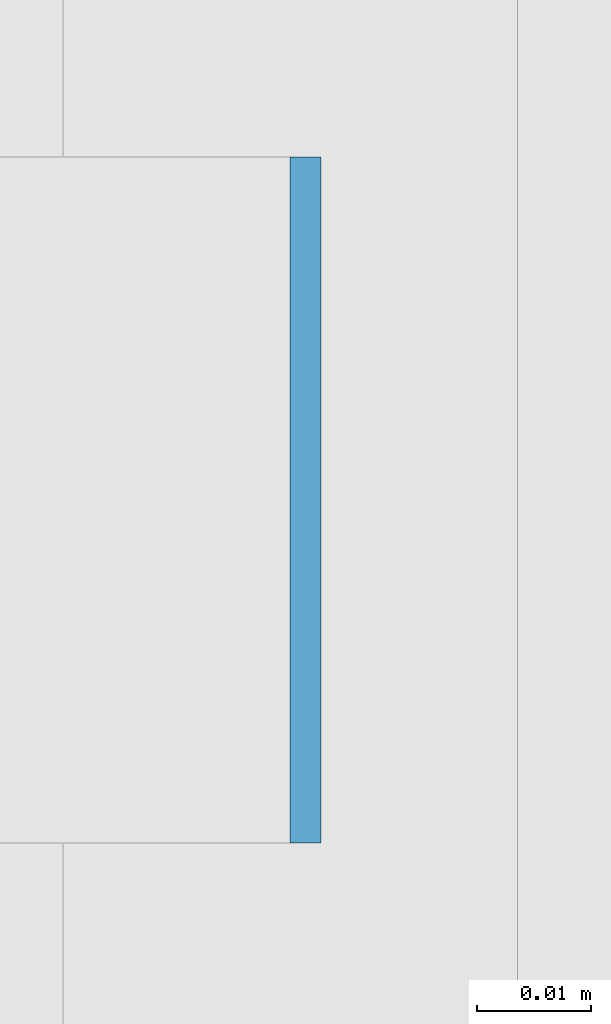
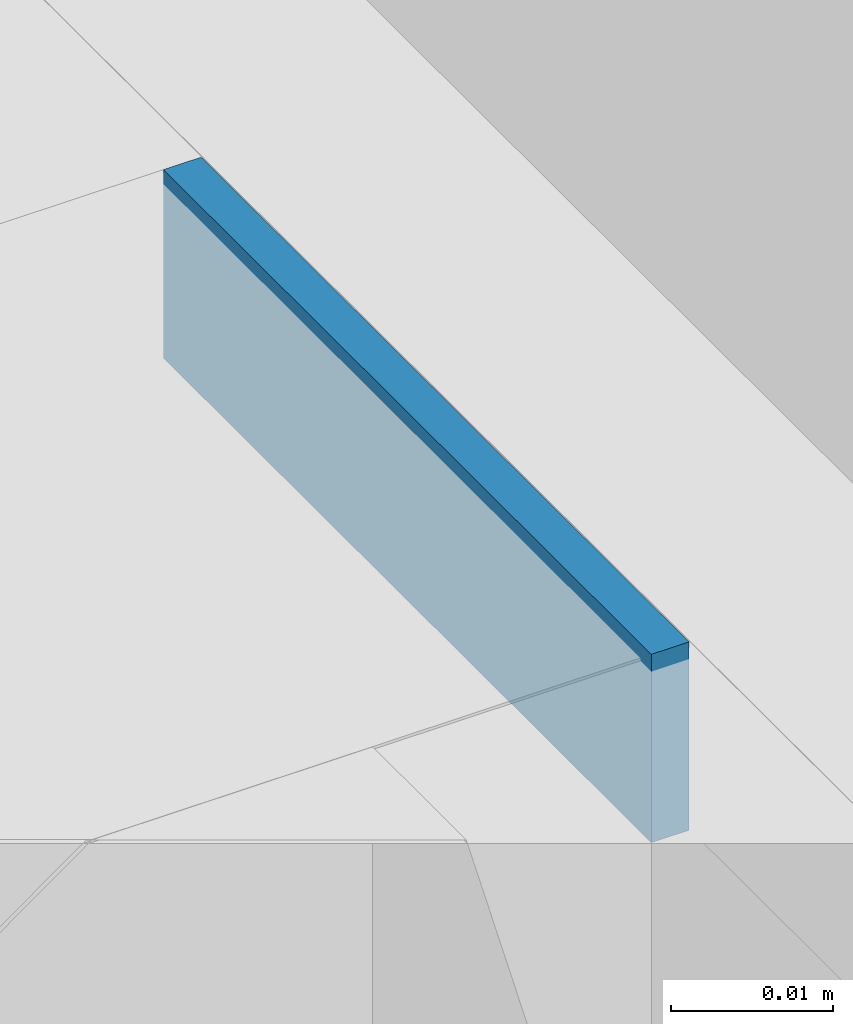
# One storey, part 355 of 646: 1 discrete accessory.
"""IFC4 building model written with IfcOpenShell, lengths in metres."""

from ifc_helpers import new_model, si_unit, direction, frame, origin, origin_2d, place, context, subcontext, project, spatial, rectangle, extrude, material, type_object, element, save


model = new_model("IFC4")

# Units and contexts
model_context = context("Model", 3, precision=1e-05, world=origin(), true_north=direction((0.0, 1.0)))
body_context = subcontext(model_context, "Body", "Model", "MODEL_VIEW")
ifc_project = project(units=[si_unit("LENGTHUNIT", "METRE"), si_unit("AREAUNIT", "SQUARE_METRE"), si_unit("VOLUMEUNIT", "CUBIC_METRE"), si_unit("PLANEANGLEUNIT", "RADIAN"), si_unit("MASSUNIT", "GRAM", prefix="KILO")], contexts=[model_context])

# Site, building, storey
site_placement = place(None, origin())
site = spatial("IfcSite", under=ifc_project, at=site_placement, CompositionType="ELEMENT")
building_placement = place(site_placement, origin())
building = spatial("IfcBuilding", under=site, at=building_placement, Name="Silverbay Arena", CompositionType="ELEMENT")
storey_placement = place(building_placement, frame((0.0, 0.0, 33.5)))
storey = spatial("IfcBuildingStorey", under=building, at=storey_placement, Name="L05", CompositionType="ELEMENT", Elevation=33.5)

# Discrete accessory
ifc_material = material(Name="Steel S355", Category="steel")
discrete_accessory_type = type_object("IfcDiscreteAccessoryType", Name="Steel bracket plate", PredefinedType="BRACKET", material=ifc_material)
discrete_accessory_placement = place(storey_placement, frame((53.871337890625, 93.857177734375, 12.98583984375), z_axis=(0.0, 0.0, 1.0), x_axis=(1.0, 0.0, 0.0)))
element("IfcDiscreteAccessory", 1, at=discrete_accessory_placement, inside=storey, type_object=discrete_accessory_type, Name="Curtain wall packing plate", PredefinedType="BRACKET", context=body_context, shape_type="SweptSolid", body=[
    extrude(rectangle(XDim=0.002685546875, YDim=0.06005859375, at=origin_2d()), origin(), (0.0, 0.0, 1.0), 0.01416015625),
])

save(model, "model.ifc")
